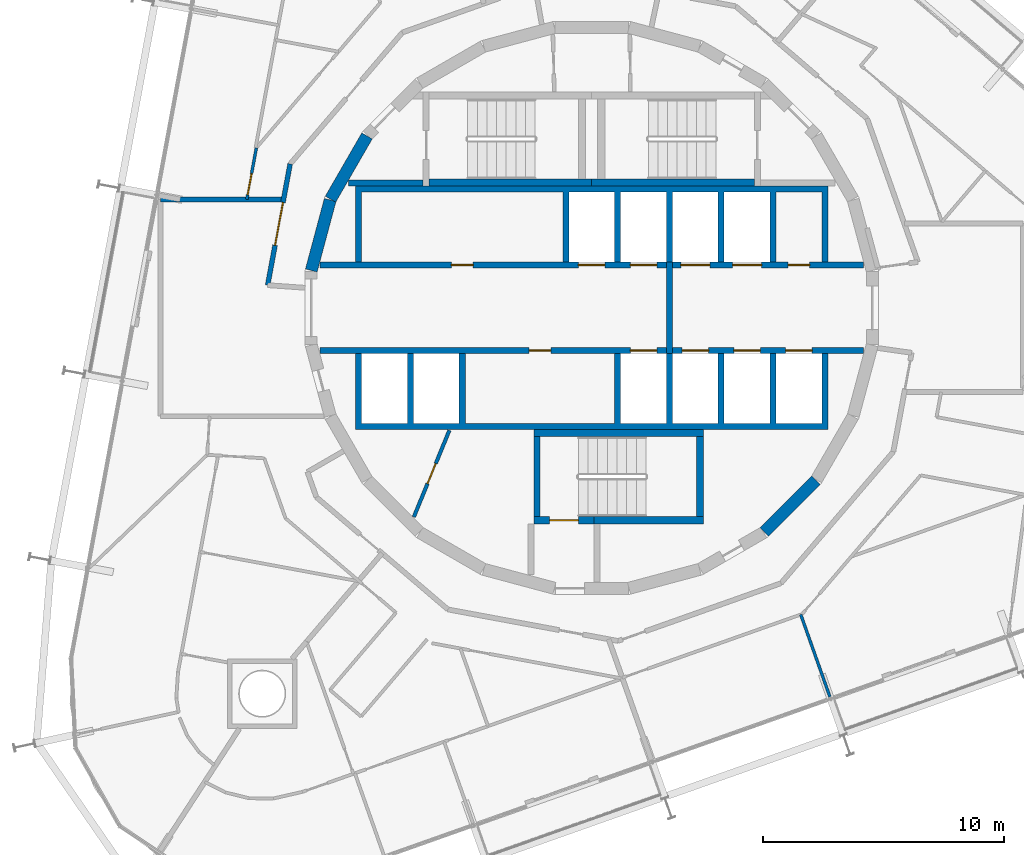
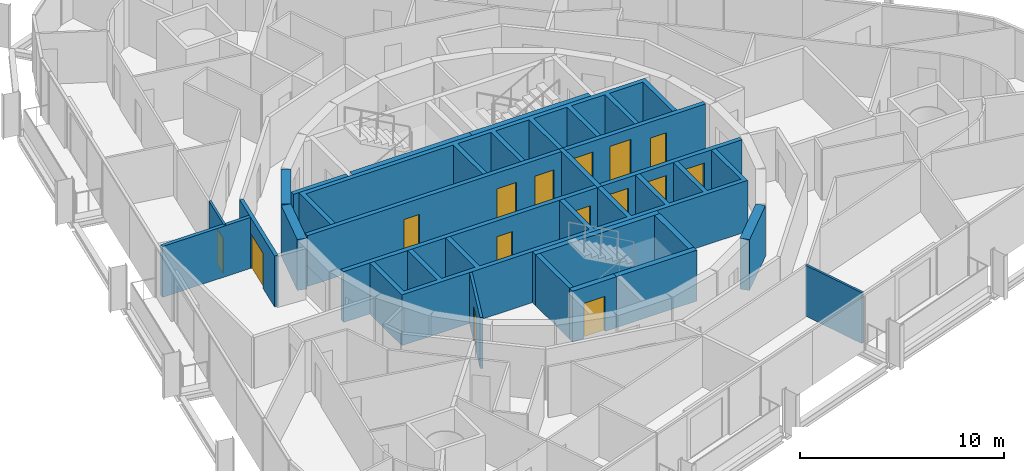
# One storey, part 12 of 17: 23 walls, 15 doors, 15 openings.
"""IFC4 building model written with IfcOpenShell, lengths in metres."""

from ifc_helpers import new_model, si_unit, direction, frame, frame_2d, origin, place, context, subcontext, project, spatial, polyline, rectangle, outline, extrude, material, layer, layer_set, type_object, element, fill, save


model = new_model("IFC4")

# Units and contexts
model_context = context("Model", 3, precision=1e-05, world=origin(), true_north=direction((0.0, 1.0)))
body_context = subcontext(model_context, "Body", "Model", "MODEL_VIEW")
ifc_project = project(units=[si_unit("LENGTHUNIT", "METRE"), si_unit("AREAUNIT", "SQUARE_METRE"), si_unit("VOLUMEUNIT", "CUBIC_METRE"), si_unit("PLANEANGLEUNIT", "RADIAN"), si_unit("MASSUNIT", "GRAM", prefix="KILO")], contexts=[model_context])

# Site, building, storey
site_placement = place(None, origin())
site = spatial("IfcSite", under=ifc_project, at=site_placement, CompositionType="ELEMENT")
building_placement = place(site_placement, origin())
building = spatial("IfcBuilding", under=site, at=building_placement, Name="Spindle Arch Residences", CompositionType="ELEMENT")
storey_placement = place(building_placement, frame((0.0, 0.0, 179.699951171875)))
storey = spatial("IfcBuildingStorey", under=building, at=storey_placement, Name="L45", CompositionType="ELEMENT", Elevation=179.699951171875)

# Walls
ifc_material_1 = material(Name="Concrete C50/60", Category="concrete")
ifc_layer_1 = layer(ifc_material_1, 0.5)
ifc_layer_set_1 = layer_set([ifc_layer_1], Name="Core outline wall 500")
wall_type_1 = type_object("IfcWallType", Name="Core outline wall 500", PredefinedType="SHEAR", material=ifc_layer_set_1)
wall_1_placement = place(storey_placement, frame((7.163818359375, -9.30810546875, 0.0), z_axis=(0.0, 0.0, 1.0), x_axis=(0.707106781187, 0.707106781187, 0.0)))
element("IfcWall", 1, at=wall_1_placement, inside=storey, type_object=wall_type_1, Name="Core outline wall 3", PredefinedType="SHEAR", context=body_context, shape_type="SweptSolid", body=[
    extrude(rectangle(XDim=3.032470703125, YDim=0.5, at=frame_2d((1.51611328125, 0.0))), origin(), (0.0, 0.0, 1.0), 3.050048828125),
])
for number, where, z_axis, x_axis, name in (
    (2, (-9.32861328125, 7.13671875, 0.0), (0.0, 0.0, 1.0), (-0.500087131594, -0.865975092491, 0.0), "Core outline wall 16"),
    (3, (-10.858154296875, 4.479248046875, 0.0), (0.0, 0.0, 1.0), (-0.258734743916, -0.965948410781, 0.0), "Core outline wall 17"),
):
    element("IfcWall", number, at=place(storey_placement, frame(where, z_axis=z_axis, x_axis=x_axis)), inside=storey, type_object=wall_type_1, Name=name, PredefinedType="SHEAR", context=body_context, shape_type="SweptSolid", body=[
        extrude(rectangle(XDim=3.03271484375, YDim=0.5, at=frame_2d((1.516357421875, 0.0))), origin(), (0.0, 0.0, 1.0), 3.050048828125),
    ])

# Wall, openings, doors
ifc_material_2 = material(Name="Concrete C40/50", Category="concrete")
ifc_layer_2 = layer(ifc_material_2, 0.25)
ifc_layer_set_2 = layer_set([ifc_layer_2], Name="Fire-lift lobby wall 250")
wall_type_2 = type_object("IfcWallType", Name="Fire-lift lobby wall 250", PredefinedType="SHEAR", material=ifc_layer_set_2)
wall_2_placement = place(storey_placement, frame((3.35009765625, 1.77490234375, 0.0), z_axis=(0.0, 0.0, 1.0), x_axis=(1.0, 0.0, 0.0)))
wall_2 = element("IfcWall", 4, at=wall_2_placement, inside=storey, type_object=wall_type_2, Name="Lift shaft front wall NE", PredefinedType="SHEAR", context=body_context, shape_type="SweptSolid", body=[
    extrude(rectangle(XDim=7.929931640625, YDim=0.25, at=frame_2d((3.96484375, 0.0))), origin(), (0.0, 0.0, 1.0), 3.050048828125),
])
opening_1_placement = place(wall_2_placement, frame((0.35009765625, 0.0, 0.0)))
opening_1 = element("IfcOpeningElement", 5, at=opening_1_placement, cuts=wall_2, Name="Opening R4C0-SLD01", PredefinedType="OPENING", context=body_context, shape_type="SweptSolid", body=[
    extrude(rectangle(XDim=1.199951171875, YDim=2.39990234375, at=frame_2d((0.60009765625, 1.199951171875))), frame((0.0, 0.135009765625, 0.0), z_axis=(0.0, -1.0, 0.0), x_axis=(1.0, 0.0, 0.0)), (0.0, 0.0, 1.0), 0.27001953125),
])
opening_2_placement = place(wall_2_placement, frame((2.5, 0.0, 0.0)))
opening_2 = element("IfcOpeningElement", 6, at=opening_2_placement, cuts=wall_2, Name="Opening R4C0-SLD02", PredefinedType="OPENING", context=body_context, shape_type="SweptSolid", body=[
    extrude(rectangle(XDim=1.199951171875, YDim=2.39990234375, at=frame_2d((0.60009765625, 1.199951171875))), frame((0.0, 0.135009765625, 0.0), z_axis=(0.0, -1.0, 0.0), x_axis=(1.0, 0.0, 0.0)), (0.0, 0.0, 1.0), 0.27001953125),
])
opening_3_placement = place(wall_2_placement, frame((4.800048828125, 0.0, 0.0)))
opening_3 = element("IfcOpeningElement", 7, at=opening_3_placement, cuts=wall_2, Name="Opening R4C0-WD02", PredefinedType="OPENING", context=body_context, shape_type="SweptSolid", body=[
    extrude(rectangle(XDim=0.89990234375, YDim=2.10009765625, at=frame_2d((0.449951171875, 1.050048828125))), frame((0.0, 0.135009765625, 0.0), z_axis=(0.0, -1.0, 0.0), x_axis=(1.0, 0.0, 0.0)), (0.0, 0.0, 1.0), 0.27001953125),
])
ifc_material_3 = material(Name="Steel, fire-resisting landing door", Category="steel")
door_type_1 = type_object("IfcDoorType", Name="Service lift landing door 1200x2400", OperationType="DOUBLE_DOOR_SLIDING", PredefinedType="DOOR", material=ifc_material_3)
door_1_placement = place(opening_1_placement, origin())
door_1 = element("IfcDoor", 8, at=door_1_placement, inside=storey, type_object=door_type_1, Name="Service lift landing door R4C0-SLD01", OperationType="DOUBLE_DOOR_SLIDING", OverallHeight=2.39990234375, OverallWidth=1.199951171875, PredefinedType="DOOR", context=body_context, shape_type="SweptSolid", body=[
    extrude(rectangle(XDim=1.199951171875, YDim=2.39990234375, at=frame_2d((0.60009765625, 1.199951171875))), frame((0.0, 0.02490234375, 0.0), z_axis=(0.0, -1.0, 0.0), x_axis=(1.0, 0.0, 0.0)), (0.0, 0.0, 1.0), 0.050048828125),
])
fill(opening_1, door_1)
door_2_placement = place(opening_2_placement, origin())
door_2 = element("IfcDoor", 9, at=door_2_placement, inside=storey, type_object=door_type_1, Name="Service lift landing door R4C0-SLD02", OperationType="DOUBLE_DOOR_SLIDING", OverallHeight=2.39990234375, OverallWidth=1.199951171875, PredefinedType="DOOR", context=body_context, shape_type="SweptSolid", body=[
    extrude(rectangle(XDim=1.199951171875, YDim=2.39990234375, at=frame_2d((0.60009765625, 1.199951171875))), frame((0.0, 0.02490234375, 0.0), z_axis=(0.0, -1.0, 0.0), x_axis=(1.0, 0.0, 0.0)), (0.0, 0.0, 1.0), 0.050048828125),
])
fill(opening_2, door_2)
ifc_material_4 = material(Name="Steel, fire-resisting door", Category="steel")
door_type_2 = type_object("IfcDoorType", Name="Service room door 900x2100", OperationType="SINGLE_SWING_LEFT", PredefinedType="DOOR", material=ifc_material_4)
door_3_placement = place(opening_3_placement, origin())
door_3 = element("IfcDoor", 10, at=door_3_placement, inside=storey, type_object=door_type_2, Name="Service room door R4C0-WD02", OperationType="SINGLE_SWING_RIGHT", OverallHeight=2.10009765625, OverallWidth=0.89990234375, PredefinedType="DOOR", context=body_context, shape_type="SweptSolid", body=[
    extrude(rectangle(XDim=0.89990234375, YDim=2.10009765625, at=frame_2d((0.449951171875, 1.050048828125))), frame((0.0, 0.02490234375, 0.0), z_axis=(0.0, -1.0, 0.0), x_axis=(1.0, 0.0, 0.0)), (0.0, 0.0, 1.0), 0.050048828125),
])
fill(opening_3, door_3)

# Wall
wall_3_placement = place(storey_placement, frame((3.22509765625, -1.89990234375, 0.0), z_axis=(0.0, 0.0, 1.0), x_axis=(0.0, 1.0, 0.0)))
element("IfcWall", 11, at=wall_3_placement, inside=storey, type_object=wall_type_2, Name="Fire-fighting lobby partition", PredefinedType="SHEAR", context=body_context, shape_type="SweptSolid", body=[
    extrude(rectangle(XDim=3.7998046875, YDim=0.25, at=frame_2d((1.89990234375, 0.0))), origin(), (0.0, 0.0, 1.0), 3.050048828125),
])

# Wall, openings, doors
ifc_material_5 = material(Name="Concrete C50/60", Category="concrete")
ifc_layer_3 = layer(ifc_material_5, 0.25)
ifc_layer_set_3 = layer_set([ifc_layer_3], Name="Fire-lift shaft wall 250")
wall_type_3 = type_object("IfcWallType", Name="Fire-lift shaft wall 250", PredefinedType="SHEAR", material=ifc_layer_set_3)
wall_4_placement = place(storey_placement, frame((3.35009765625, -1.77490234375, 0.0), z_axis=(0.0, 0.0, 1.0), x_axis=(1.0, 0.0, 0.0)))
wall_4 = element("IfcWall", 12, at=wall_4_placement, inside=storey, type_object=wall_type_3, Name="Lift shaft front wall SE", PredefinedType="SHEAR", context=body_context, shape_type="SweptSolid", body=[
    extrude(rectangle(XDim=7.929931640625, YDim=0.25, at=frame_2d((3.96484375, 0.0))), origin(), (0.0, 0.0, 1.0), 3.050048828125),
])
opening_4_placement = place(wall_4_placement, frame((0.39990234375, 0.0, 0.0)))
opening_4 = element("IfcOpeningElement", 13, at=opening_4_placement, cuts=wall_4, Name="Opening R4C0-FLD01", PredefinedType="OPENING", context=body_context, shape_type="SweptSolid", body=[
    extrude(rectangle(XDim=1.10009765625, YDim=2.39990234375, at=frame_2d((0.550048828125, 1.199951171875))), frame((0.0, 0.135009765625, 0.0), z_axis=(0.0, -1.0, 0.0), x_axis=(1.0, 0.0, 0.0)), (0.0, 0.0, 1.0), 0.27001953125),
])
opening_5_placement = place(wall_4_placement, frame((2.550048828125, 0.0, 0.0)))
opening_5 = element("IfcOpeningElement", 14, at=opening_5_placement, cuts=wall_4, Name="Opening R4C0-FLD02", PredefinedType="OPENING", context=body_context, shape_type="SweptSolid", body=[
    extrude(rectangle(XDim=1.10009765625, YDim=2.39990234375, at=frame_2d((0.550048828125, 1.199951171875))), frame((0.0, 0.135009765625, 0.0), z_axis=(0.0, -1.0, 0.0), x_axis=(1.0, 0.0, 0.0)), (0.0, 0.0, 1.0), 0.27001953125),
])
opening_6_placement = place(wall_4_placement, frame((4.699951171875, 0.0, 0.0)))
opening_6 = element("IfcOpeningElement", 15, at=opening_6_placement, cuts=wall_4, Name="Opening R4C0-FLD03", PredefinedType="OPENING", context=body_context, shape_type="SweptSolid", body=[
    extrude(rectangle(XDim=1.10009765625, YDim=2.39990234375, at=frame_2d((0.550048828125, 1.199951171875))), frame((0.0, 0.135009765625, 0.0), z_axis=(0.0, -1.0, 0.0), x_axis=(1.0, 0.0, 0.0)), (0.0, 0.0, 1.0), 0.27001953125),
])
ifc_material_6 = material(Name="Steel, fire-resisting landing door", Category="steel")
door_type_3 = type_object("IfcDoorType", Name="Fire-fighting lift landing door 1100x2400", OperationType="DOUBLE_DOOR_SLIDING", PredefinedType="DOOR", material=ifc_material_6)
door_4_placement = place(opening_4_placement, origin())
door_4 = element("IfcDoor", 16, at=door_4_placement, inside=storey, type_object=door_type_3, Name="Fire-fighting lift landing door R4C0-FLD01", OperationType="DOUBLE_DOOR_SLIDING", OverallHeight=2.39990234375, OverallWidth=1.10009765625, PredefinedType="DOOR", context=body_context, shape_type="SweptSolid", body=[
    extrude(rectangle(XDim=1.10009765625, YDim=2.39990234375, at=frame_2d((0.550048828125, 1.199951171875))), frame((0.0, 0.02490234375, 0.0), z_axis=(0.0, -1.0, 0.0), x_axis=(1.0, 0.0, 0.0)), (0.0, 0.0, 1.0), 0.050048828125),
])
fill(opening_4, door_4)
door_5_placement = place(opening_5_placement, origin())
door_5 = element("IfcDoor", 17, at=door_5_placement, inside=storey, type_object=door_type_3, Name="Fire-fighting lift landing door R4C0-FLD02", OperationType="DOUBLE_DOOR_SLIDING", OverallHeight=2.39990234375, OverallWidth=1.10009765625, PredefinedType="DOOR", context=body_context, shape_type="SweptSolid", body=[
    extrude(rectangle(XDim=1.10009765625, YDim=2.39990234375, at=frame_2d((0.550048828125, 1.199951171875))), frame((0.0, 0.02490234375, 0.0), z_axis=(0.0, -1.0, 0.0), x_axis=(1.0, 0.0, 0.0)), (0.0, 0.0, 1.0), 0.050048828125),
])
fill(opening_5, door_5)
door_6_placement = place(opening_6_placement, origin())
door_6 = element("IfcDoor", 18, at=door_6_placement, inside=storey, type_object=door_type_3, Name="Fire-fighting lift landing door R4C0-FLD03", OperationType="DOUBLE_DOOR_SLIDING", OverallHeight=2.39990234375, OverallWidth=1.10009765625, PredefinedType="DOOR", context=body_context, shape_type="SweptSolid", body=[
    extrude(rectangle(XDim=1.10009765625, YDim=2.39990234375, at=frame_2d((0.550048828125, 1.199951171875))), frame((0.0, 0.02490234375, 0.0), z_axis=(0.0, -1.0, 0.0), x_axis=(1.0, 0.0, 0.0)), (0.0, 0.0, 1.0), 0.050048828125),
])
fill(opening_6, door_6)

# Wall, opening, door
ifc_material_7 = material(Name="Plasterboard on steel studs", Category="steel")
ifc_layer_4 = layer(ifc_material_7, 0.1201171875)
ifc_layer_set_4 = layer_set([ifc_layer_4], Name="Flat partition 120")
wall_type_4 = type_object("IfcWallType", Name="Flat partition 120", PredefinedType="PARTITIONING", material=ifc_layer_set_4)
wall_5_placement = place(storey_placement, frame((-13.9228515625, 6.640869140625, 0.0), z_axis=(0.0, 0.0, 1.0), x_axis=(-0.182209715759, -0.983259690765, 0.0)))
wall_5 = element("IfcWall", 19, at=wall_5_placement, inside=storey, type_object=wall_type_4, Name="Flat partition R4C0-W071", PredefinedType="PARTITIONING", context=body_context, shape_type="SweptSolid", body=[
    extrude(rectangle(XDim=2.17724609375, YDim=0.1201171875, at=frame_2d((1.088623046875, 0.0))), origin(), (0.0, 0.0, 1.0), 3.050048828125),
])
opening_7_placement = place(wall_5_placement, frame((1.08349609375, 0.0, 0.0)))
opening_7 = element("IfcOpeningElement", 20, at=opening_7_placement, cuts=wall_5, Name="Opening R4C0-ID12", PredefinedType="OPENING", context=body_context, shape_type="SweptSolid", body=[
    extrude(rectangle(XDim=0.89990234375, YDim=2.10009765625, at=frame_2d((0.449951171875, 1.050048828125))), frame((0.0, 0.070068359375, 0.0), z_axis=(0.0, -1.0, 0.0), x_axis=(1.0, 0.0, 0.0)), (0.0, 0.0, 1.0), 0.14013671875),
])
ifc_material_8 = material(Name="Timber door set", Category="wood")
door_type_4 = type_object("IfcDoorType", Name="Room door 900x2100", OperationType="NOTDEFINED", PredefinedType="DOOR", material=ifc_material_8)
door_7_placement = place(opening_7_placement, origin())
door_7 = element("IfcDoor", 21, at=door_7_placement, inside=storey, type_object=door_type_4, Name="Room door R4C0-ID12", OperationType="SINGLE_SWING_LEFT", OverallHeight=2.10009765625, OverallWidth=0.89990234375, PredefinedType="DOOR", context=body_context, shape_type="SweptSolid", body=[
    extrude(rectangle(XDim=0.89990234375, YDim=2.10009765625, at=frame_2d((0.449951171875, 1.050048828125))), frame((0.0, 0.02490234375, 0.0), z_axis=(0.0, -1.0, 0.0), x_axis=(1.0, 0.0, 0.0)), (0.0, 0.0, 1.0), 0.050048828125),
])
fill(opening_7, door_7)

# Wall
wall_6_placement = place(storey_placement, frame((9.89111328125, -16.157958984375, 0.0), z_axis=(0.0, 0.0, 1.0), x_axis=(-0.33385336213, 0.942625022262, 0.0)))
element("IfcWall", 22, at=wall_6_placement, inside=storey, type_object=wall_type_4, Name="Flat partition R4C0-W115", PredefinedType="PARTITIONING", context=body_context, shape_type="SweptSolid", body=[
    extrude(rectangle(XDim=3.633056640625, YDim=0.1201171875, at=frame_2d((1.81640625, 0.0))), origin(), (0.0, 0.0, 1.0), 3.050048828125),
])

# Wall, opening, door
ifc_material_9 = material(Name="Calcium silicate block, plastered")
ifc_layer_5 = layer(ifc_material_9, 0.199951171875)
ifc_layer_set_5 = layer_set([ifc_layer_5], Name="Lift lobby bay wall 200")
wall_type_5 = type_object("IfcWallType", Name="Lift lobby bay wall 200", PredefinedType="STANDARD", material=ifc_layer_set_5)
wall_7_placement = place(storey_placement, frame((-12.521240234375, 5.972412109375, 0.0), z_axis=(0.0, 0.0, 1.0), x_axis=(-0.182251559718, -0.983251935661, 0.0)))
wall_7 = element("IfcWall", 23, at=wall_7_placement, inside=storey, type_object=wall_type_5, Name="Lift lobby bay wall R4C0-W007", PredefinedType="STANDARD", context=body_context, shape_type="SweptSolid", body=[
    extrude(rectangle(XDim=5.1171875, YDim=0.199951171875, at=frame_2d((2.55859375, 0.0))), origin(), (0.0, 0.0, 1.0), 3.050048828125),
])
opening_8_placement = place(wall_7_placement, frame((1.62744140625, 0.0, 0.0)))
opening_8 = element("IfcOpeningElement", 24, at=opening_8_placement, cuts=wall_7, Name="Opening R4C0-LB01", PredefinedType="OPENING", context=body_context, shape_type="SweptSolid", body=[
    extrude(rectangle(XDim=1.800048828125, YDim=2.10009765625, at=frame_2d((0.89990234375, 1.050048828125))), frame((0.0, 0.10986328125, 0.0), z_axis=(0.0, -1.0, 0.0), x_axis=(1.0, 0.0, 0.0)), (0.0, 0.0, 1.0), 0.219970703125),
])
ifc_material_10 = material(Name="Steel, fire-resisting door", Category="steel")
door_type_5 = type_object("IfcDoorType", Name="Lift lobby bay door 1800x2100", OperationType="NOTDEFINED", PredefinedType="DOOR", material=ifc_material_10)
door_8_placement = place(opening_8_placement, origin())
door_8 = element("IfcDoor", 25, at=door_8_placement, inside=storey, type_object=door_type_5, Name="Lift lobby bay door R4C0-LB01", OperationType="DOUBLE_DOOR_SINGLE_SWING", OverallHeight=2.10009765625, OverallWidth=1.800048828125, PredefinedType="DOOR", context=body_context, shape_type="SweptSolid", body=[
    extrude(rectangle(XDim=1.800048828125, YDim=2.10009765625, at=frame_2d((0.89990234375, 1.050048828125))), frame((0.0, 0.02490234375, 0.0), z_axis=(0.0, -1.0, 0.0), x_axis=(1.0, 0.0, 0.0)), (0.0, 0.0, 1.0), 0.050048828125),
])
fill(opening_8, door_8)

# Wall
wall_8_placement = place(storey_placement, frame((-12.794189453125, 4.5, 0.0), z_axis=(0.0, 0.0, 1.0), x_axis=(-1.0, 0.0, 0.0)))
element("IfcWall", 26, at=wall_8_placement, inside=storey, type_object=wall_type_5, Name="Lift lobby bay wall R4C0-W020", PredefinedType="STANDARD", context=body_context, shape_type="SweptSolid", body=[
    extrude(rectangle(XDim=5.105712890625, YDim=0.199951171875, at=frame_2d((2.552734375, 0.0))), origin(), (0.0, 0.0, 1.0), 3.050048828125),
])

# Wall, openings, doors
ifc_material_11 = material(Name="Concrete C50/60", Category="concrete")
ifc_layer_6 = layer(ifc_material_11, 0.25)
ifc_layer_set_6 = layer_set([ifc_layer_6], Name="Lift shaft wall 250")
wall_type_6 = type_object("IfcWallType", Name="Lift shaft wall 250", PredefinedType="SHEAR", material=ifc_layer_set_6)
wall_9_placement = place(storey_placement, frame((-11.280029296875, 1.77490234375, 0.0), z_axis=(0.0, 0.0, 1.0), x_axis=(1.0, 0.0, 0.0)))
wall_9 = element("IfcWall", 27, at=wall_9_placement, inside=storey, type_object=wall_type_6, Name="Lift shaft front wall NW", PredefinedType="SHEAR", context=body_context, shape_type="SweptSolid", body=[
    extrude(rectangle(XDim=14.380126953125, YDim=0.25, at=frame_2d((7.18994140625, 0.0))), origin(), (0.0, 0.0, 1.0), 3.050048828125),
])
opening_9_placement = place(wall_9_placement, frame((10.72998046875, 0.0, 0.0)))
opening_9 = element("IfcOpeningElement", 28, at=opening_9_placement, cuts=wall_9, Name="Opening R4C0-LD01", PredefinedType="OPENING", context=body_context, shape_type="SweptSolid", body=[
    extrude(rectangle(XDim=1.10009765625, YDim=2.10009765625, at=frame_2d((0.550048828125, 1.050048828125))), frame((0.0, 0.135009765625, 0.0), z_axis=(0.0, -1.0, 0.0), x_axis=(1.0, 0.0, 0.0)), (0.0, 0.0, 1.0), 0.27001953125),
])
opening_10_placement = place(wall_9_placement, frame((12.8798828125, 0.0, 0.0)))
opening_10 = element("IfcOpeningElement", 29, at=opening_10_placement, cuts=wall_9, Name="Opening R4C0-LD02", PredefinedType="OPENING", context=body_context, shape_type="SweptSolid", body=[
    extrude(rectangle(XDim=1.10009765625, YDim=2.10009765625, at=frame_2d((0.550048828125, 1.050048828125))), frame((0.0, 0.135009765625, 0.0), z_axis=(0.0, -1.0, 0.0), x_axis=(1.0, 0.0, 0.0)), (0.0, 0.0, 1.0), 0.27001953125),
])
opening_11_placement = place(wall_9_placement, frame((5.455078125, 0.0, 0.0)))
opening_11 = element("IfcOpeningElement", 30, at=opening_11_placement, cuts=wall_9, Name="Opening R4C0-WD01", PredefinedType="OPENING", context=body_context, shape_type="SweptSolid", body=[
    extrude(rectangle(XDim=0.89990234375, YDim=2.10009765625, at=frame_2d((0.449951171875, 1.050048828125))), frame((0.0, 0.135009765625, 0.0), z_axis=(0.0, -1.0, 0.0), x_axis=(1.0, 0.0, 0.0)), (0.0, 0.0, 1.0), 0.27001953125),
])
ifc_material_12 = material(Name="Steel, fire-resisting landing door", Category="steel")
door_type_6 = type_object("IfcDoorType", Name="Lift landing door 1100x2100", OperationType="DOUBLE_DOOR_SLIDING", PredefinedType="DOOR", material=ifc_material_12)
door_9_placement = place(opening_9_placement, origin())
door_9 = element("IfcDoor", 31, at=door_9_placement, inside=storey, type_object=door_type_6, Name="Lift landing door R4C0-LD01", OperationType="DOUBLE_DOOR_SLIDING", OverallHeight=2.10009765625, OverallWidth=1.10009765625, PredefinedType="DOOR", context=body_context, shape_type="SweptSolid", body=[
    extrude(rectangle(XDim=1.10009765625, YDim=2.10009765625, at=frame_2d((0.550048828125, 1.050048828125))), frame((0.0, 0.02490234375, 0.0), z_axis=(0.0, -1.0, 0.0), x_axis=(1.0, 0.0, 0.0)), (0.0, 0.0, 1.0), 0.050048828125),
])
fill(opening_9, door_9)
door_10_placement = place(opening_10_placement, origin())
door_10 = element("IfcDoor", 32, at=door_10_placement, inside=storey, type_object=door_type_6, Name="Lift landing door R4C0-LD02", OperationType="DOUBLE_DOOR_SLIDING", OverallHeight=2.10009765625, OverallWidth=1.10009765625, PredefinedType="DOOR", context=body_context, shape_type="SweptSolid", body=[
    extrude(rectangle(XDim=1.10009765625, YDim=2.10009765625, at=frame_2d((0.550048828125, 1.050048828125))), frame((0.0, 0.02490234375, 0.0), z_axis=(0.0, -1.0, 0.0), x_axis=(1.0, 0.0, 0.0)), (0.0, 0.0, 1.0), 0.050048828125),
])
fill(opening_10, door_10)
door_11_placement = place(opening_11_placement, origin())
door_11 = element("IfcDoor", 33, at=door_11_placement, inside=storey, type_object=door_type_2, Name="Service room door R4C0-WD01", OperationType="SINGLE_SWING_LEFT", OverallHeight=2.10009765625, OverallWidth=0.89990234375, PredefinedType="DOOR", context=body_context, shape_type="SweptSolid", body=[
    extrude(rectangle(XDim=0.89990234375, YDim=2.10009765625, at=frame_2d((0.449951171875, 1.050048828125))), frame((0.0, 0.02490234375, 0.0), z_axis=(0.0, -1.0, 0.0), x_axis=(1.0, 0.0, 0.0)), (0.0, 0.0, 1.0), 0.050048828125),
])
fill(opening_11, door_11)

wall_10_placement = place(storey_placement, frame((-11.280029296875, -1.77490234375, 0.0), z_axis=(0.0, 0.0, 1.0), x_axis=(1.0, 0.0, 0.0)))
wall_10 = element("IfcWall", 34, at=wall_10_placement, inside=storey, type_object=wall_type_6, Name="Lift shaft front wall SW", PredefinedType="SHEAR", context=body_context, shape_type="SweptSolid", body=[
    extrude(rectangle(XDim=14.380126953125, YDim=0.25, at=frame_2d((7.18994140625, 0.0))), origin(), (0.0, 0.0, 1.0), 3.050048828125),
])
opening_12_placement = place(wall_10_placement, frame((12.8798828125, 0.0, 0.0)))
opening_12 = element("IfcOpeningElement", 35, at=opening_12_placement, cuts=wall_10, Name="Opening R4C0-LD03", PredefinedType="OPENING", context=body_context, shape_type="SweptSolid", body=[
    extrude(rectangle(XDim=1.10009765625, YDim=2.10009765625, at=frame_2d((0.550048828125, 1.050048828125))), frame((0.0, 0.135009765625, 0.0), z_axis=(0.0, -1.0, 0.0), x_axis=(1.0, 0.0, 0.0)), (0.0, 0.0, 1.0), 0.27001953125),
])
opening_13_placement = place(wall_10_placement, frame((8.679931640625, 0.0, 0.0)))
opening_13 = element("IfcOpeningElement", 36, at=opening_13_placement, cuts=wall_10, Name="Opening R4C0-WD03", PredefinedType="OPENING", context=body_context, shape_type="SweptSolid", body=[
    extrude(rectangle(XDim=0.89990234375, YDim=2.10009765625, at=frame_2d((0.449951171875, 1.050048828125))), frame((0.0, 0.135009765625, 0.0), z_axis=(0.0, -1.0, 0.0), x_axis=(1.0, 0.0, 0.0)), (0.0, 0.0, 1.0), 0.27001953125),
])
door_12_placement = place(opening_12_placement, origin())
door_12 = element("IfcDoor", 37, at=door_12_placement, inside=storey, type_object=door_type_6, Name="Lift landing door R4C0-LD03", OperationType="DOUBLE_DOOR_SLIDING", OverallHeight=2.10009765625, OverallWidth=1.10009765625, PredefinedType="DOOR", context=body_context, shape_type="SweptSolid", body=[
    extrude(rectangle(XDim=1.10009765625, YDim=2.10009765625, at=frame_2d((0.550048828125, 1.050048828125))), frame((0.0, 0.02490234375, 0.0), z_axis=(0.0, -1.0, 0.0), x_axis=(1.0, 0.0, 0.0)), (0.0, 0.0, 1.0), 0.050048828125),
])
fill(opening_12, door_12)
door_13_placement = place(opening_13_placement, origin())
door_13 = element("IfcDoor", 38, at=door_13_placement, inside=storey, type_object=door_type_2, Name="Service room door R4C0-WD03", OperationType="SINGLE_SWING_LEFT", OverallHeight=2.10009765625, OverallWidth=0.89990234375, PredefinedType="DOOR", context=body_context, shape_type="SweptSolid", body=[
    extrude(rectangle(XDim=0.89990234375, YDim=2.10009765625, at=frame_2d((0.449951171875, 1.050048828125))), frame((0.0, 0.02490234375, 0.0), z_axis=(0.0, -1.0, 0.0), x_axis=(1.0, 0.0, 0.0)), (0.0, 0.0, 1.0), 0.050048828125),
])
fill(opening_13, door_13)

# Walls
ifc_material_13 = material(Name="Concrete C50/60", Category="concrete")
wall_type_7 = type_object("IfcWallType", Name="Lift shaft wall profile", PredefinedType="SHEAR", material=ifc_material_13)
wall_11_placement = place(storey_placement, origin())
element("IfcWall", 39, at=wall_11_placement, inside=storey, type_object=wall_type_7, Name="Lift shaft walls N", PredefinedType="SHEAR", context=body_context, shape_type="SweptSolid", body=[
    extrude(outline(polyline([(-9.550048828125, 4.800048828125), (-1.199951171875, 4.800048828125), (-1.199951171875, 1.89990234375), (-0.949951171875, 1.89990234375), (-0.949951171875, 4.800048828125), (0.949951171875, 4.800048828125), (0.949951171875, 1.89990234375), (1.199951171875, 1.89990234375), (1.199951171875, 4.800048828125), (3.10009765625, 4.800048828125), (3.10009765625, 1.89990234375), (3.35009765625, 1.89990234375), (3.35009765625, 4.800048828125), (5.25, 4.800048828125), (5.25, 1.89990234375), (5.5, 1.89990234375), (5.5, 4.800048828125), (7.39990234375, 4.800048828125), (7.39990234375, 1.89990234375), (7.64990234375, 1.89990234375), (7.64990234375, 4.800048828125), (9.550048828125, 4.800048828125), (9.550048828125, 1.89990234375), (9.800048828125, 1.89990234375), (9.800048828125, 4.800048828125), (9.800048828125, 5.050048828125), (-9.800048828125, 5.050048828125), (-9.800048828125, 4.800048828125), (-9.800048828125, 1.89990234375), (-9.550048828125, 1.89990234375), (-9.550048828125, 4.800048828125)])), origin(), (0.0, 0.0, 1.0), 3.050048828125),
])
wall_12_placement = place(storey_placement, origin())
element("IfcWall", 40, at=wall_12_placement, inside=storey, type_object=wall_type_7, Name="Lift shaft walls S", PredefinedType="SHEAR", context=body_context, shape_type="SweptSolid", body=[
    extrude(outline(polyline([(9.800048828125, -5.050048828125), (9.800048828125, -4.800048828125), (9.800048828125, -1.89990234375), (9.550048828125, -1.89990234375), (9.550048828125, -4.800048828125), (7.64990234375, -4.800048828125), (7.64990234375, -1.89990234375), (7.39990234375, -1.89990234375), (7.39990234375, -4.800048828125), (5.5, -4.800048828125), (5.5, -1.89990234375), (5.25, -1.89990234375), (5.25, -4.800048828125), (3.35009765625, -4.800048828125), (3.35009765625, -1.89990234375), (3.10009765625, -1.89990234375), (3.10009765625, -4.800048828125), (1.199951171875, -4.800048828125), (1.199951171875, -1.89990234375), (0.949951171875, -1.89990234375), (0.949951171875, -4.800048828125), (-5.25, -4.800048828125), (-5.25, -1.89990234375), (-5.5, -1.89990234375), (-5.5, -4.800048828125), (-7.39990234375, -4.800048828125), (-7.39990234375, -1.89990234375), (-7.64990234375, -1.89990234375), (-7.64990234375, -4.800048828125), (-9.550048828125, -4.800048828125), (-9.550048828125, -1.89990234375), (-9.800048828125, -1.89990234375), (-9.800048828125, -4.800048828125), (-9.800048828125, -5.050048828125), (9.800048828125, -5.050048828125)])), origin(), (0.0, 0.0, 1.0), 3.050048828125),
])

# Wall, opening, door
ifc_material_14 = material(Name="Concrete C25/30", Category="concrete")
ifc_layer_7 = layer(ifc_material_14, 0.14990234375)
ifc_layer_set_7 = layer_set([ifc_layer_7], Name="Service room partition 150")
wall_type_8 = type_object("IfcWallType", Name="Service room partition 150", PredefinedType="PARTITIONING", material=ifc_layer_set_7)
wall_13_placement = place(storey_placement, frame((-7.385009765625, -8.680908203125, 0.0), z_axis=(0.0, 0.0, 1.0), x_axis=(0.379804590409, 0.925066739811, 0.0)))
wall_13 = element("IfcWall", 41, at=wall_13_placement, inside=storey, type_object=wall_type_8, Name="Core service room partition", PredefinedType="PARTITIONING", context=body_context, shape_type="SweptSolid", body=[
    extrude(rectangle(XDim=3.885009765625, YDim=0.14990234375, at=frame_2d((1.9423828125, 0.0))), origin(), (0.0, 0.0, 1.0), 3.050048828125),
])
opening_14_placement = place(wall_13_placement, frame((1.49267578125, 0.0, 0.0)))
opening_14 = element("IfcOpeningElement", 42, at=opening_14_placement, cuts=wall_13, Name="Opening R4C0-WD04", PredefinedType="OPENING", context=body_context, shape_type="SweptSolid", body=[
    extrude(rectangle(XDim=0.89990234375, YDim=2.10009765625, at=frame_2d((0.449951171875, 1.050048828125))), frame((0.0, 0.0849609375, 0.0), z_axis=(0.0, -1.0, 0.0), x_axis=(1.0, 0.0, 0.0)), (0.0, 0.0, 1.0), 0.169921875),
])
door_14_placement = place(opening_14_placement, origin())
door_14 = element("IfcDoor", 43, at=door_14_placement, inside=storey, type_object=door_type_2, Name="Service room door R4C0-WD04", OperationType="SINGLE_SWING_RIGHT", OverallHeight=2.10009765625, OverallWidth=0.89990234375, PredefinedType="DOOR", context=body_context, shape_type="SweptSolid", body=[
    extrude(rectangle(XDim=0.89990234375, YDim=2.10009765625, at=frame_2d((0.449951171875, 1.050048828125))), frame((0.0, 0.02490234375, 0.0), z_axis=(0.0, -1.0, 0.0), x_axis=(1.0, 0.0, 0.0)), (0.0, 0.0, 1.0), 0.050048828125),
])
fill(opening_14, door_14)

# Walls
ifc_material_15 = material(Name="Concrete C40/50", Category="concrete")
ifc_layer_8 = layer(ifc_material_15, 0.25)
ifc_layer_set_8 = layer_set([ifc_layer_8], Name="Stair airlock wall 250")
wall_type_9 = type_object("IfcWallType", Name="Stair airlock wall 250", PredefinedType="SHEAR", material=ifc_layer_set_8)
wall_14_placement = place(storey_placement, frame((-7.0, 5.175048828125, 0.0), z_axis=(0.0, 0.0, 1.0), x_axis=(-1.0, 0.0, 0.0)))
element("IfcWall", 44, at=wall_14_placement, inside=storey, type_object=wall_type_9, Name="Stair ST-2 airlock wall S", PredefinedType="SHEAR", context=body_context, shape_type="SweptSolid", body=[
    extrude(rectangle(XDim=3.10009765625, YDim=0.25, at=frame_2d((1.550048828125, 0.0))), origin(), (0.0, 0.0, 1.0), 3.050048828125),
])
ifc_material_16 = material(Name="Concrete C50/60", Category="concrete")
ifc_layer_9 = layer(ifc_material_16, 0.25)
ifc_layer_set_9 = layer_set([ifc_layer_9], Name="Stair enclosure wall 250")
wall_type_10 = type_object("IfcWallType", Name="Stair enclosure wall 250", PredefinedType="SHEAR", material=ifc_layer_set_9)
wall_15_placement = place(storey_placement, frame((-2.27490234375, -8.669921875, 0.0), z_axis=(0.0, 0.0, 1.0), x_axis=(0.0, 1.0, 0.0)))
element("IfcWall", 45, at=wall_15_placement, inside=storey, type_object=wall_type_10, Name="Stair ST-3 enclosure wall W", PredefinedType="SHEAR", context=body_context, shape_type="SweptSolid", body=[
    extrude(rectangle(XDim=3.31982421875, YDim=0.25, at=frame_2d((1.659912109375, 0.0))), origin(), (0.0, 0.0, 1.0), 3.050048828125),
])
ifc_material_17 = material(Name="Concrete C50/60", Category="concrete")
ifc_layer_10 = layer(ifc_material_17, 0.300048828125)
ifc_layer_set_10 = layer_set([ifc_layer_10], Name="Stair enclosure wall 300")
wall_type_11 = type_object("IfcWallType", Name="Stair enclosure wall 300", PredefinedType="SHEAR", material=ifc_layer_set_10)
for number, where, z_axis, x_axis, name in (
    (46, (0.0, 5.199951171875, 0.0), (0.0, 0.0, 1.0), (1.0, 0.0, 0.0), "Stair ST-1 enclosure wall S"),
    (47, (-6.75, 5.199951171875, 0.0), (0.0, 0.0, 1.0), (1.0, 0.0, 0.0), "Stair ST-2 enclosure wall S"),
):
    element("IfcWall", number, at=place(storey_placement, frame(where, z_axis=z_axis, x_axis=x_axis)), inside=storey, type_object=wall_type_11, Name=name, PredefinedType="SHEAR", context=body_context, shape_type="SweptSolid", body=[
        extrude(rectangle(XDim=6.75, YDim=0.300048828125, at=frame_2d((3.375, 0.0))), origin(), (0.0, 0.0, 1.0), 3.050048828125),
    ])
wall_16_placement = place(storey_placement, frame((-2.39990234375, -5.199951171875, 0.0), z_axis=(0.0, 0.0, 1.0), x_axis=(1.0, 0.0, 0.0)))
element("IfcWall", 48, at=wall_16_placement, inside=storey, type_object=wall_type_11, Name="Stair ST-3 enclosure wall N", PredefinedType="SHEAR", context=body_context, shape_type="SweptSolid", body=[
    extrude(rectangle(XDim=7.0498046875, YDim=0.300048828125, at=frame_2d((3.52490234375, 0.0))), origin(), (0.0, 0.0, 1.0), 3.050048828125),
])
wall_17_placement = place(storey_placement, frame((4.5, -8.669921875, 0.0), z_axis=(0.0, 0.0, 1.0), x_axis=(0.0, 1.0, 0.0)))
element("IfcWall", 49, at=wall_17_placement, inside=storey, type_object=wall_type_11, Name="Stair ST-3 enclosure wall E", PredefinedType="SHEAR", context=body_context, shape_type="SweptSolid", body=[
    extrude(rectangle(XDim=3.31982421875, YDim=0.300048828125, at=frame_2d((1.659912109375, 0.0))), origin(), (0.0, 0.0, 1.0), 3.050048828125),
])
wall_18_placement = place(storey_placement, frame((0.10009765625, -8.820068359375, 0.0), z_axis=(0.0, 0.0, 1.0), x_axis=(1.0, 0.0, 0.0)))
element("IfcWall", 50, at=wall_18_placement, inside=storey, type_object=wall_type_11, Name="Stair ST-3 enclosure wall S", PredefinedType="SHEAR", context=body_context, shape_type="SweptSolid", body=[
    extrude(rectangle(XDim=4.5498046875, YDim=0.300048828125, at=frame_2d((2.27490234375, 0.0))), origin(), (0.0, 0.0, 1.0), 3.050048828125),
])

# Wall, opening, door
wall_19_placement = place(storey_placement, frame((-2.39990234375, -8.820068359375, 0.0), z_axis=(0.0, 0.0, 1.0), x_axis=(1.0, 0.0, 0.0)))
wall_19 = element("IfcWall", 51, at=wall_19_placement, inside=storey, type_object=wall_type_11, Name="Stair ST-3 door wall", PredefinedType="SHEAR", context=body_context, shape_type="SweptSolid", body=[
    extrude(rectangle(XDim=2.5, YDim=0.300048828125, at=frame_2d((1.25, 0.0))), origin(), (0.0, 0.0, 1.0), 3.050048828125),
])
opening_15_placement = place(wall_19_placement, frame((0.64990234375, 0.0, 0.0)))
opening_15 = element("IfcOpeningElement", 52, at=opening_15_placement, cuts=wall_19, Name="Opening R4C0-SD03", PredefinedType="OPENING", context=body_context, shape_type="SweptSolid", body=[
    extrude(rectangle(XDim=1.199951171875, YDim=2.10009765625, at=frame_2d((0.60009765625, 1.050048828125))), frame((0.0, 0.16015625, 0.0), z_axis=(0.0, -1.0, 0.0), x_axis=(1.0, 0.0, 0.0)), (0.0, 0.0, 1.0), 0.320068359375),
])
ifc_material_18 = material(Name="Steel, fire-resisting door", Category="steel")
door_type_7 = type_object("IfcDoorType", Name="Stair door 1200x2100", OperationType="SINGLE_SWING_RIGHT", PredefinedType="DOOR", material=ifc_material_18)
door_15_placement = place(opening_15_placement, origin())
door_15 = element("IfcDoor", 53, at=door_15_placement, inside=storey, type_object=door_type_7, Name="Stair door R4C0-SD03", OperationType="SINGLE_SWING_LEFT", OverallHeight=2.10009765625, OverallWidth=1.199951171875, PredefinedType="DOOR", context=body_context, shape_type="SweptSolid", body=[
    extrude(rectangle(XDim=1.199951171875, YDim=2.10009765625, at=frame_2d((0.60009765625, 1.050048828125))), frame((0.0, 0.02490234375, 0.0), z_axis=(0.0, -1.0, 0.0), x_axis=(1.0, 0.0, 0.0)), (0.0, 0.0, 1.0), 0.050048828125),
])
fill(opening_15, door_15)

save(model, "model.ifc")
